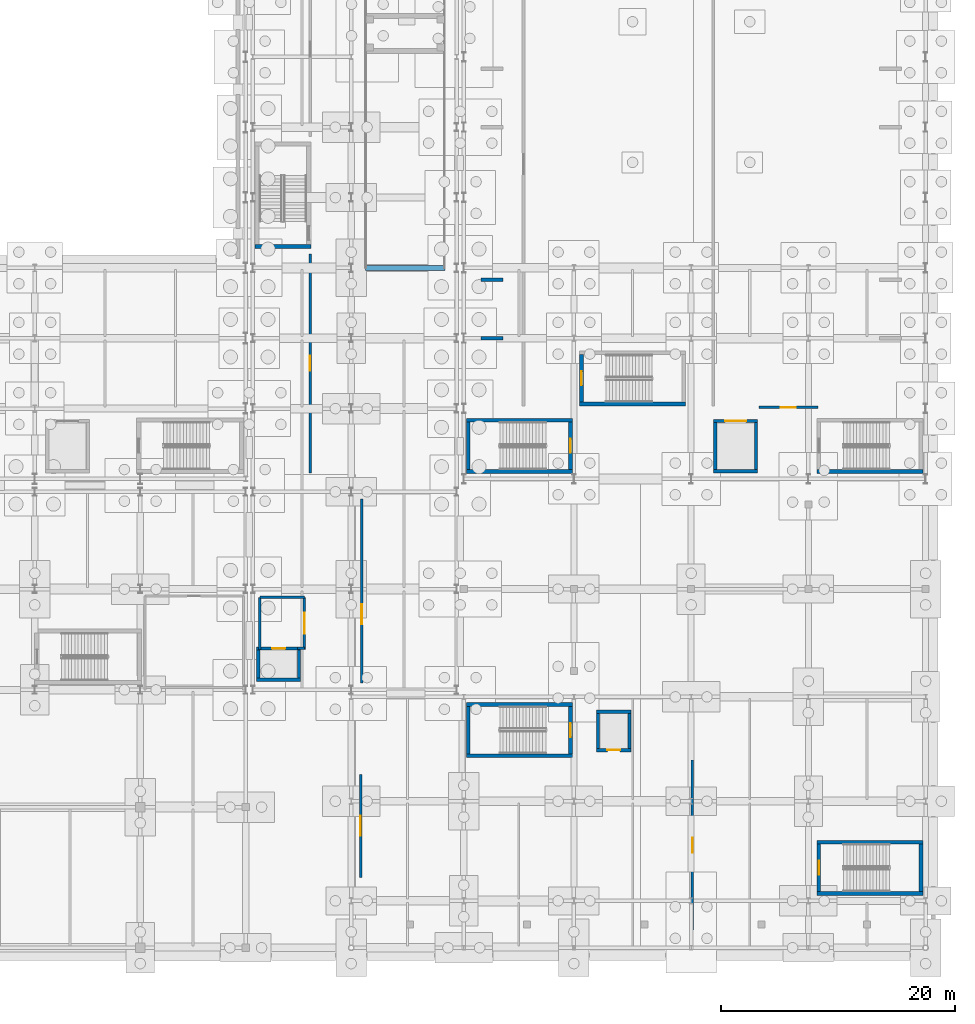
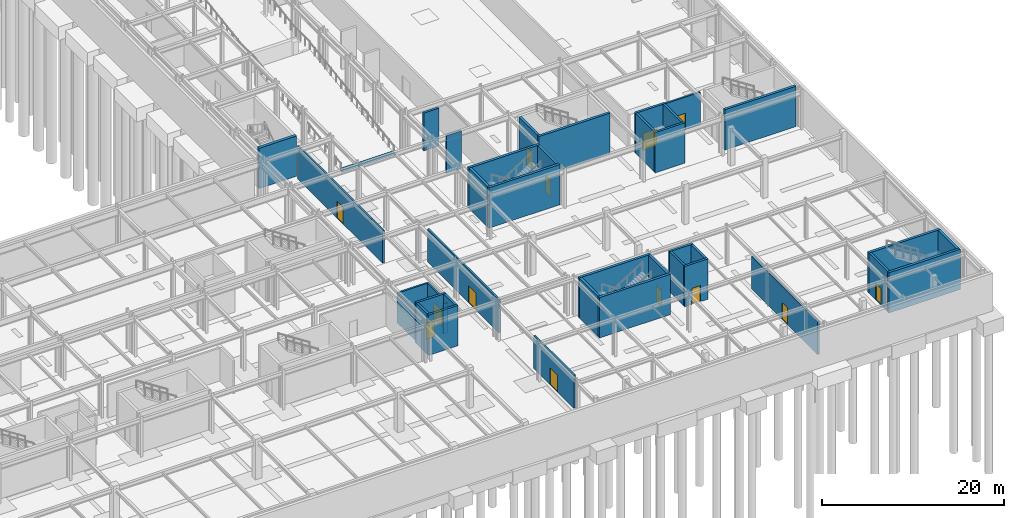
# One storey, part 46 of 65: 40 walls, 13 doors, 13 openings.
"""IFC4 building model written with IfcOpenShell, lengths in metres."""

from ifc_helpers import new_model, si_unit, direction, frame, frame_2d, origin, place, context, subcontext, project, spatial, rectangle, extrude, material, layer, layer_set, type_object, element, fill, save


model = new_model("IFC4")

# Units and contexts
model_context = context("Model", 3, precision=1e-05, world=origin(), true_north=direction((0.0, 1.0)))
body_context = subcontext(model_context, "Body", "Model", "MODEL_VIEW")
ifc_project = project(units=[si_unit("LENGTHUNIT", "METRE"), si_unit("AREAUNIT", "SQUARE_METRE"), si_unit("VOLUMEUNIT", "CUBIC_METRE"), si_unit("PLANEANGLEUNIT", "RADIAN"), si_unit("MASSUNIT", "GRAM", prefix="KILO")], contexts=[model_context])

# Site, building, storey
site_placement = place(None, origin())
site = spatial("IfcSite", under=ifc_project, at=site_placement, CompositionType="ELEMENT")
building_placement = place(site_placement, origin())
building = spatial("IfcBuilding", under=site, at=building_placement, Name="Kaldris Quays Convention Centre", CompositionType="ELEMENT")
storey_placement = place(building_placement, frame((0.0, 0.0, -5.39990234375)))
storey = spatial("IfcBuildingStorey", under=building, at=storey_placement, Name="B1", CompositionType="ELEMENT", Elevation=-5.39990234375)

# Wall, opening, door
ifc_material_1 = material(Name="Concrete C35/45", Category="concrete")
ifc_layer_1 = layer(ifc_material_1, 0.199951171875)
ifc_layer_set_1 = layer_set([ifc_layer_1], Name="Concrete C35/45")
wall_type_1 = type_object("IfcWallType", Name="INTERIOR WALL IW01", PredefinedType="PARTITIONING", material=ifc_layer_set_1)
wall_1_placement = place(storey_placement, frame((151.0, 41.449951171875, 0.0), z_axis=(0.0, 0.0, 1.0), x_axis=(0.0, 1.0, 0.0)))
wall_1 = element("IfcWall", 1, at=wall_1_placement, inside=storey, type_object=wall_type_1, Name="B1 Firefighting Lift Lobby FL02 Wall E", PredefinedType="PARTITIONING", context=body_context, shape_type="SweptSolid", body=[
    extrude(rectangle(XDim=4.449951171875, YDim=0.199951171875, at=frame_2d((2.22509765625, 0.0))), origin(), (0.0, 0.0, 1.0), 4.0),
])
opening_1_placement = place(wall_1_placement, frame((1.324951171875, 0.0, 0.0)))
opening_1 = element("IfcOpeningElement", 2, at=opening_1_placement, cuts=wall_1, Name="Opening ID02", PredefinedType="OPENING", context=body_context, shape_type="SweptSolid", body=[
    extrude(rectangle(XDim=1.800048828125, YDim=2.199951171875, at=frame_2d((0.89990234375, 1.10009765625))), frame((0.0, 0.10986328125, 0.0), z_axis=(0.0, -1.0, 0.0), x_axis=(1.0, 0.0, 0.0)), (0.0, 0.0, 1.0), 0.219970703125),
])
ifc_material_2 = material(Name="Steel S355J2 fire-resisting door", Category="steel")
door_type_1 = type_object("IfcDoorType", Name="INTERIOR DOOR ID02", OperationType="DOUBLE_DOOR_SINGLE_SWING", PredefinedType="DOOR", material=ifc_material_2)
door_1_placement = place(opening_1_placement, frame((1.800048828125, 0.0, 0.0), z_axis=(0.0, 0.0, 1.0), x_axis=(-1.0, 0.0, 0.0)))
door_1 = element("IfcDoor", 3, at=door_1_placement, inside=storey, type_object=door_type_1, Name="B1 Firefighting Lift Lobby FL02 Fire Door", OperationType="DOUBLE_DOOR_SINGLE_SWING", OverallHeight=2.199951171875, OverallWidth=1.800048828125, PredefinedType="DOOR", context=body_context, shape_type="SweptSolid", body=[
    extrude(rectangle(XDim=1.800048828125, YDim=2.199951171875, at=frame_2d((0.89990234375, 1.10009765625))), frame((0.0, 0.02490234375, 0.0), z_axis=(0.0, -1.0, 0.0), x_axis=(1.0, 0.0, 0.0)), (0.0, 0.0, 1.0), 0.050048828125),
])
fill(opening_1, door_1)

# Walls
wall_2_placement = place(storey_placement, frame((147.199951171875, 45.89990234375, 0.0), z_axis=(0.0, 0.0, 1.0), x_axis=(1.0, 0.0, 0.0)))
element("IfcWall", 4, at=wall_2_placement, inside=storey, type_object=wall_type_1, Name="B1 Firefighting Lift Lobby FL02 Wall N", PredefinedType="PARTITIONING", context=body_context, shape_type="SweptSolid", body=[
    extrude(rectangle(XDim=3.800048828125, YDim=0.199951171875, at=frame_2d((1.89990234375, 0.0))), origin(), (0.0, 0.0, 1.0), 4.0),
])
wall_3_placement = place(storey_placement, frame((147.199951171875, 41.449951171875, 0.0), z_axis=(0.0, 0.0, 1.0), x_axis=(0.0, 1.0, 0.0)))
element("IfcWall", 5, at=wall_3_placement, inside=storey, type_object=wall_type_1, Name="B1 Firefighting Lift Lobby FL02 Wall W", PredefinedType="PARTITIONING", context=body_context, shape_type="SweptSolid", body=[
    extrude(rectangle(XDim=4.449951171875, YDim=0.199951171875, at=frame_2d((2.22509765625, 0.0))), origin(), (0.0, 0.0, 1.0), 4.0),
])
wall_4_placement = place(storey_placement, frame((150.39990234375, 41.56005859375, 0.0), z_axis=(0.0, 0.0, 1.0), x_axis=(1.0, 0.0, 0.0)))
element("IfcWall", 6, at=wall_4_placement, inside=storey, type_object=wall_type_1, Name="B1 Firefighting Lift Lobby FL02 Wall S", PredefinedType="PARTITIONING", context=body_context, shape_type="SweptSolid", body=[
    extrude(rectangle(XDim=0.60009765625, YDim=0.199951171875, at=frame_2d((0.300048828125, 0.0))), origin(), (0.0, 0.0, 1.0), 4.0),
])

# Wall, opening, door
ifc_layer_2 = layer(ifc_material_1, 0.22412109375)
ifc_layer_set_2 = layer_set([ifc_layer_2], Name="Concrete C35/45")
wall_type_2 = type_object("IfcWallType", Name="INTERIOR WALL IW08", PredefinedType="PARTITIONING", material=ifc_layer_set_2)
wall_5_placement = place(storey_placement, frame((151.5, 56.5, 0.0), z_axis=(0.0, 0.0, 1.0), x_axis=(0.0, 1.0, 0.0)))
wall_5 = element("IfcWall", 7, at=wall_5_placement, inside=storey, type_object=wall_type_2, Name="B1 Interior Wall IW08 10", PredefinedType="PARTITIONING", context=body_context, shape_type="SweptSolid", body=[
    extrude(rectangle(XDim=18.699951171875, YDim=0.22412109375, at=frame_2d((9.35009765625, 0.0))), origin(), (0.0, 0.0, 1.0), 4.39990234375),
])
opening_2_placement = place(wall_5_placement, frame((8.7099609375, 0.0, 0.0)))
opening_2 = element("IfcOpeningElement", 8, at=opening_2_placement, cuts=wall_5, Name="Opening ID14", PredefinedType="OPENING", context=body_context, shape_type="SweptSolid", body=[
    extrude(rectangle(XDim=1.280029296875, YDim=2.239990234375, at=frame_2d((0.64013671875, 1.1201171875))), frame((0.0, 0.1220703125, 0.0), z_axis=(0.0, -1.0, 0.0), x_axis=(1.0, 0.0, 0.0)), (0.0, 0.0, 1.0), 0.244140625),
])
ifc_material_3 = material(Name="Steel S355J2 plant room fire door", Category="steel")
door_type_2 = type_object("IfcDoorType", Name="INTERIOR DOOR ID14", OperationType="NOTDEFINED", PredefinedType="DOOR", material=ifc_material_3)
door_2_placement = place(opening_2_placement, frame((1.280029296875, 0.0, 0.0), z_axis=(0.0, 0.0, 1.0), x_axis=(-1.0, 0.0, 0.0)))
door_2 = element("IfcDoor", 9, at=door_2_placement, inside=storey, type_object=door_type_2, Name="B1 Interior Door ID14 6", OperationType="SINGLE_SWING_LEFT", OverallHeight=2.239990234375, OverallWidth=1.280029296875, PredefinedType="DOOR", context=body_context, shape_type="SweptSolid", body=[
    extrude(rectangle(XDim=1.280029296875, YDim=2.239990234375, at=frame_2d((0.64013671875, 1.1201171875))), frame((0.0, 0.02490234375, 0.0), z_axis=(0.0, -1.0, 0.0), x_axis=(1.0, 0.0, 0.0)), (0.0, 0.0, 1.0), 0.050048828125),
])
fill(opening_2, door_2)

wall_6_placement = place(storey_placement, frame((155.89990234375, 38.60009765625, 0.0), z_axis=(0.0, 0.0, 1.0), x_axis=(0.0, 1.0, 0.0)))
wall_6 = element("IfcWall", 10, at=wall_6_placement, inside=storey, type_object=wall_type_2, Name="B1 Interior Wall IW08 16", PredefinedType="PARTITIONING", context=body_context, shape_type="SweptSolid", body=[
    extrude(rectangle(XDim=15.699951171875, YDim=0.22412109375, at=frame_2d((7.85009765625, 0.0))), origin(), (0.0, 0.0, 1.0), 4.39990234375),
])
opening_3_placement = place(wall_6_placement, frame((4.989990234375, 0.0, 0.0)))
opening_3 = element("IfcOpeningElement", 11, at=opening_3_placement, cuts=wall_6, Name="Opening ID15", PredefinedType="OPENING", context=body_context, shape_type="SweptSolid", body=[
    extrude(rectangle(XDim=1.719970703125, YDim=2.280029296875, at=frame_2d((0.85986328125, 1.14013671875))), frame((0.0, 0.1220703125, 0.0), z_axis=(0.0, -1.0, 0.0), x_axis=(1.0, 0.0, 0.0)), (0.0, 0.0, 1.0), 0.244140625),
])
ifc_material_4 = material(Name="Steel S355J2 plant room double fire door", Category="steel")
door_type_3 = type_object("IfcDoorType", Name="INTERIOR DOOR ID15", OperationType="DOUBLE_DOOR_SINGLE_SWING", PredefinedType="DOOR", material=ifc_material_4)
door_3_placement = place(opening_3_placement, origin())
door_3 = element("IfcDoor", 12, at=door_3_placement, inside=storey, type_object=door_type_3, Name="B1 Interior Door ID15 11", OperationType="DOUBLE_DOOR_SINGLE_SWING", OverallHeight=2.280029296875, OverallWidth=1.719970703125, PredefinedType="DOOR", context=body_context, shape_type="SweptSolid", body=[
    extrude(rectangle(XDim=1.719970703125, YDim=2.280029296875, at=frame_2d((0.85986328125, 1.14013671875))), frame((0.0, 0.02490234375, 0.0), z_axis=(0.0, -1.0, 0.0), x_axis=(1.0, 0.0, 0.0)), (0.0, 0.0, 1.0), 0.050048828125),
])
fill(opening_3, door_3)

wall_7_placement = place(storey_placement, frame((189.800048828125, 62.10009765625, 0.0), z_axis=(0.0, 0.0, 1.0), x_axis=(1.0, 0.0, 0.0)))
wall_7 = element("IfcWall", 13, at=wall_7_placement, inside=storey, type_object=wall_type_2, Name="B1 Interior Wall IW08 20", PredefinedType="PARTITIONING", context=body_context, shape_type="SweptSolid", body=[
    extrude(rectangle(XDim=5.0, YDim=0.22412109375, at=frame_2d((2.5, 0.0))), origin(), (0.0, 0.0, 1.0), 4.39990234375),
])
opening_4_placement = place(wall_7_placement, frame((1.860107421875, 0.0, 0.0)))
opening_4 = element("IfcOpeningElement", 14, at=opening_4_placement, cuts=wall_7, Name="Opening ID14", PredefinedType="OPENING", context=body_context, shape_type="SweptSolid", body=[
    extrude(rectangle(XDim=1.280029296875, YDim=2.239990234375, at=frame_2d((0.64013671875, 1.1201171875))), frame((0.0, 0.1220703125, 0.0), z_axis=(0.0, -1.0, 0.0), x_axis=(1.0, 0.0, 0.0)), (0.0, 0.0, 1.0), 0.244140625),
])
door_4_placement = place(opening_4_placement, frame((1.280029296875, 0.0, 0.0), z_axis=(0.0, 0.0, 1.0), x_axis=(-1.0, 0.0, 0.0)))
door_4 = element("IfcDoor", 15, at=door_4_placement, inside=storey, type_object=door_type_2, Name="B1 Interior Door ID14 14", OperationType="SINGLE_SWING_RIGHT", OverallHeight=2.239990234375, OverallWidth=1.280029296875, PredefinedType="DOOR", context=body_context, shape_type="SweptSolid", body=[
    extrude(rectangle(XDim=1.280029296875, YDim=2.239990234375, at=frame_2d((0.64013671875, 1.1201171875))), frame((0.0, 0.02490234375, 0.0), z_axis=(0.0, -1.0, 0.0), x_axis=(1.0, 0.0, 0.0)), (0.0, 0.0, 1.0), 0.050048828125),
])
fill(opening_4, door_4)

wall_8_placement = place(storey_placement, frame((155.800048828125, 22.0, 0.0), z_axis=(0.0, 0.0, 1.0), x_axis=(0.0, 1.0, 0.0)))
wall_8 = element("IfcWall", 16, at=wall_8_placement, inside=storey, type_object=wall_type_2, Name="B1 Interior Wall IW08 21", PredefinedType="PARTITIONING", context=body_context, shape_type="SweptSolid", body=[
    extrude(rectangle(XDim=8.800048828125, YDim=0.22412109375, at=frame_2d((4.39990234375, 0.0))), origin(), (0.0, 0.0, 1.0), 4.39990234375),
])
opening_5_placement = place(wall_8_placement, frame((3.5400390625, 0.0, 0.0)))
opening_5 = element("IfcOpeningElement", 17, at=opening_5_placement, cuts=wall_8, Name="Opening ID15", PredefinedType="OPENING", context=body_context, shape_type="SweptSolid", body=[
    extrude(rectangle(XDim=1.719970703125, YDim=2.280029296875, at=frame_2d((0.85986328125, 1.14013671875))), frame((0.0, 0.1220703125, 0.0), z_axis=(0.0, -1.0, 0.0), x_axis=(1.0, 0.0, 0.0)), (0.0, 0.0, 1.0), 0.244140625),
])
door_5_placement = place(opening_5_placement, origin())
door_5 = element("IfcDoor", 18, at=door_5_placement, inside=storey, type_object=door_type_3, Name="B1 Interior Door ID15 15", OperationType="DOUBLE_DOOR_SINGLE_SWING", OverallHeight=2.280029296875, OverallWidth=1.719970703125, PredefinedType="DOOR", context=body_context, shape_type="SweptSolid", body=[
    extrude(rectangle(XDim=1.719970703125, YDim=2.280029296875, at=frame_2d((0.85986328125, 1.14013671875))), frame((0.0, 0.02490234375, 0.0), z_axis=(0.0, -1.0, 0.0), x_axis=(1.0, 0.0, 0.0)), (0.0, 0.0, 1.0), 0.050048828125),
])
fill(opening_5, door_5)

wall_9_placement = place(storey_placement, frame((184.10009765625, 17.5, 0.0), z_axis=(0.0, 0.0, 1.0), x_axis=(0.0, 1.0, 0.0)))
wall_9 = element("IfcWall", 19, at=wall_9_placement, inside=storey, type_object=wall_type_2, Name="B1 Interior Wall IW08 22", PredefinedType="PARTITIONING", context=body_context, shape_type="SweptSolid", body=[
    extrude(rectangle(XDim=14.5, YDim=0.22412109375, at=frame_2d((7.25, 0.0))), origin(), (0.0, 0.0, 1.0), 4.39990234375),
])
opening_6_placement = place(wall_9_placement, frame((6.610107421875, 0.0, 0.0)))
opening_6 = element("IfcOpeningElement", 20, at=opening_6_placement, cuts=wall_9, Name="Opening ID14", PredefinedType="OPENING", context=body_context, shape_type="SweptSolid", body=[
    extrude(rectangle(XDim=1.280029296875, YDim=2.239990234375, at=frame_2d((0.64013671875, 1.1201171875))), frame((0.0, 0.1220703125, 0.0), z_axis=(0.0, -1.0, 0.0), x_axis=(1.0, 0.0, 0.0)), (0.0, 0.0, 1.0), 0.244140625),
])
door_6_placement = place(opening_6_placement, origin())
door_6 = element("IfcDoor", 21, at=door_6_placement, inside=storey, type_object=door_type_2, Name="B1 Interior Door ID14 16", OperationType="SINGLE_SWING_LEFT", OverallHeight=2.239990234375, OverallWidth=1.280029296875, PredefinedType="DOOR", context=body_context, shape_type="SweptSolid", body=[
    extrude(rectangle(XDim=1.280029296875, YDim=2.239990234375, at=frame_2d((0.64013671875, 1.1201171875))), frame((0.0, 0.02490234375, 0.0), z_axis=(0.0, -1.0, 0.0), x_axis=(1.0, 0.0, 0.0)), (0.0, 0.0, 1.0), 0.050048828125),
])
fill(opening_6, door_6)

# Walls
ifc_material_5 = material(Name="Concrete C40/50", Category="concrete")
ifc_layer_3 = layer(ifc_material_5, 0.35009765625)
ifc_layer_set_3 = layer_set([ifc_layer_3], Name="Concrete C40/50")
wall_type_3 = type_object("IfcWallType", Name="STRUCTURAL WALL SW01", PredefinedType="SHEAR", material=ifc_layer_set_3)
wall_10_placement = place(storey_placement, frame((146.800048828125, 75.824951171875, 0.0), z_axis=(0.0, 0.0, 1.0), x_axis=(1.0, 0.0, 0.0)))
element("IfcWall", 22, at=wall_10_placement, inside=storey, type_object=wall_type_3, Name="B1 Core Shear Wall CORE-ST14-B1-S", PredefinedType="SHEAR", context=body_context, shape_type="SweptSolid", body=[
    extrude(rectangle(XDim=4.75, YDim=0.35009765625, at=frame_2d((2.375, 0.0))), origin(), (0.0, 0.0, 1.0), 5.39990234375),
])
ifc_layer_4 = layer(ifc_material_5, 0.320068359375)
ifc_layer_set_4 = layer_set([ifc_layer_4], Name="Concrete C40/50")
wall_type_4 = type_object("IfcWallType", Name="STRUCTURAL WALL SW02", PredefinedType="SHEAR", material=ifc_layer_set_4)
for number, where, z_axis, x_axis, name in (
    (23, (164.830078125, 56.639892578125, 0.0), (0.0, 0.0, 1.0), (1.0, 0.0, 0.0), "B1 Core Shear Wall CORE-ST08-B1-S"),
    (24, (164.830078125, 61.010009765625, 0.0), (0.0, 0.0, 1.0), (1.0, 0.0, 0.0), "B1 Core Shear Wall CORE-ST08-B1-N"),
):
    element("IfcWall", number, at=place(storey_placement, frame(where, z_axis=z_axis, x_axis=x_axis)), inside=storey, type_object=wall_type_4, Name=name, PredefinedType="SHEAR", context=body_context, shape_type="SweptSolid", body=[
        extrude(rectangle(XDim=9.0400390625, YDim=0.320068359375, at=frame_2d((4.52001953125, 0.0))), origin(), (0.0, 0.0, 1.0), 5.39990234375),
    ])
wall_11_placement = place(storey_placement, frame((164.989990234375, 56.800048828125, 0.0), z_axis=(0.0, 0.0, 1.0), x_axis=(0.0, 1.0, 0.0)))
element("IfcWall", 25, at=wall_11_placement, inside=storey, type_object=wall_type_4, Name="B1 Core Shear Wall CORE-ST08-B1-W", PredefinedType="SHEAR", context=body_context, shape_type="SweptSolid", body=[
    extrude(rectangle(XDim=4.050048828125, YDim=0.320068359375, at=frame_2d((2.02490234375, 0.0))), origin(), (0.0, 0.0, 1.0), 5.39990234375),
])

# Wall, opening, door
wall_12_placement = place(storey_placement, frame((173.7099609375, 56.800048828125, 0.0), z_axis=(0.0, 0.0, 1.0), x_axis=(0.0, 1.0, 0.0)))
wall_12 = element("IfcWall", 26, at=wall_12_placement, inside=storey, type_object=wall_type_4, Name="B1 Core Shear Wall CORE-ST08-B1-E", PredefinedType="SHEAR", context=body_context, shape_type="SweptSolid", body=[
    extrude(rectangle(XDim=4.050048828125, YDim=0.320068359375, at=frame_2d((2.02490234375, 0.0))), origin(), (0.0, 0.0, 1.0), 5.39990234375),
])
opening_7_placement = place(wall_12_placement, frame((1.425048828125, 0.0, 0.0)))
opening_7 = element("IfcOpeningElement", 27, at=opening_7_placement, cuts=wall_12, Name="Opening ID03", PredefinedType="OPENING", context=body_context, shape_type="SweptSolid", body=[
    extrude(rectangle(XDim=1.199951171875, YDim=2.199951171875, at=frame_2d((0.60009765625, 1.10009765625))), frame((0.0, 0.169921875, 0.0), z_axis=(0.0, -1.0, 0.0), x_axis=(1.0, 0.0, 0.0)), (0.0, 0.0, 1.0), 0.340087890625),
])
door_type_4 = type_object("IfcDoorType", Name="INTERIOR DOOR ID03", OperationType="NOTDEFINED", PredefinedType="DOOR", material=ifc_material_2)
door_7_placement = place(opening_7_placement, origin())
door_7 = element("IfcDoor", 28, at=door_7_placement, inside=storey, type_object=door_type_4, Name="B1 Escape Stair ST08 Fire Door", OperationType="SINGLE_SWING_LEFT", OverallHeight=2.199951171875, OverallWidth=1.199951171875, PredefinedType="DOOR", context=body_context, shape_type="SweptSolid", body=[
    extrude(rectangle(XDim=1.199951171875, YDim=2.199951171875, at=frame_2d((0.60009765625, 1.10009765625))), frame((0.0, 0.02490234375, 0.0), z_axis=(0.0, -1.0, 0.0), x_axis=(1.0, 0.0, 0.0)), (0.0, 0.0, 1.0), 0.050048828125),
])
fill(opening_7, door_7)

# Walls
for number, where, z_axis, x_axis, name in (
    (29, (194.72998046875, 56.639892578125, 0.0), (0.0, 0.0, 1.0), (1.0, 0.0, 0.0), "B1 Core Shear Wall CORE-ST09-B1-S"),
    (30, (174.47998046875, 62.389892578125, 0.0), (0.0, 0.0, 1.0), (1.0, 0.0, 0.0), "B1 Core Shear Wall CORE-ST10-B1-S"),
):
    element("IfcWall", number, at=place(storey_placement, frame(where, z_axis=z_axis, x_axis=x_axis)), inside=storey, type_object=wall_type_4, Name=name, PredefinedType="SHEAR", context=body_context, shape_type="SweptSolid", body=[
        extrude(rectangle(XDim=9.0400390625, YDim=0.320068359375, at=frame_2d((4.52001953125, 0.0))), origin(), (0.0, 0.0, 1.0), 5.39990234375),
    ])

# Wall, opening, door
wall_13_placement = place(storey_placement, frame((174.639892578125, 62.550048828125, 0.0), z_axis=(0.0, 0.0, 1.0), x_axis=(0.0, 1.0, 0.0)))
wall_13 = element("IfcWall", 31, at=wall_13_placement, inside=storey, type_object=wall_type_4, Name="B1 Core Shear Wall CORE-ST10-B1-W", PredefinedType="SHEAR", context=body_context, shape_type="SweptSolid", body=[
    extrude(rectangle(XDim=4.050048828125, YDim=0.320068359375, at=frame_2d((2.02490234375, 0.0))), origin(), (0.0, 0.0, 1.0), 5.39990234375),
])
opening_8_placement = place(wall_13_placement, frame((1.425048828125, 0.0, 0.0)))
opening_8 = element("IfcOpeningElement", 32, at=opening_8_placement, cuts=wall_13, Name="Opening ID03", PredefinedType="OPENING", context=body_context, shape_type="SweptSolid", body=[
    extrude(rectangle(XDim=1.199951171875, YDim=2.199951171875, at=frame_2d((0.60009765625, 1.10009765625))), frame((0.0, 0.169921875, 0.0), z_axis=(0.0, -1.0, 0.0), x_axis=(1.0, 0.0, 0.0)), (0.0, 0.0, 1.0), 0.340087890625),
])
door_8_placement = place(opening_8_placement, frame((1.199951171875, 0.0, 0.0), z_axis=(0.0, 0.0, 1.0), x_axis=(-1.0, 0.0, 0.0)))
door_8 = element("IfcDoor", 33, at=door_8_placement, inside=storey, type_object=door_type_4, Name="B1 Escape Stair ST10 Fire Door", OperationType="SINGLE_SWING_LEFT", OverallHeight=2.199951171875, OverallWidth=1.199951171875, PredefinedType="DOOR", context=body_context, shape_type="SweptSolid", body=[
    extrude(rectangle(XDim=1.199951171875, YDim=2.199951171875, at=frame_2d((0.60009765625, 1.10009765625))), frame((0.0, 0.02490234375, 0.0), z_axis=(0.0, -1.0, 0.0), x_axis=(1.0, 0.0, 0.0)), (0.0, 0.0, 1.0), 0.050048828125),
])
fill(opening_8, door_8)

# Walls
for number, where, z_axis, x_axis, name in (
    (34, (164.830078125, 32.389892578125, 0.0), (0.0, 0.0, 1.0), (1.0, 0.0, 0.0), "B1 Core Shear Wall CORE-ST15-B1-S"),
    (35, (164.830078125, 36.760009765625, 0.0), (0.0, 0.0, 1.0), (1.0, 0.0, 0.0), "B1 Core Shear Wall CORE-ST15-B1-N"),
):
    element("IfcWall", number, at=place(storey_placement, frame(where, z_axis=z_axis, x_axis=x_axis)), inside=storey, type_object=wall_type_4, Name=name, PredefinedType="SHEAR", context=body_context, shape_type="SweptSolid", body=[
        extrude(rectangle(XDim=9.0400390625, YDim=0.320068359375, at=frame_2d((4.52001953125, 0.0))), origin(), (0.0, 0.0, 1.0), 5.39990234375),
    ])
wall_14_placement = place(storey_placement, frame((164.989990234375, 32.550048828125, 0.0), z_axis=(0.0, 0.0, 1.0), x_axis=(0.0, 1.0, 0.0)))
element("IfcWall", 36, at=wall_14_placement, inside=storey, type_object=wall_type_4, Name="B1 Core Shear Wall CORE-ST15-B1-W", PredefinedType="SHEAR", context=body_context, shape_type="SweptSolid", body=[
    extrude(rectangle(XDim=4.050048828125, YDim=0.320068359375, at=frame_2d((2.02490234375, 0.0))), origin(), (0.0, 0.0, 1.0), 5.39990234375),
])

# Wall, opening, door
wall_15_placement = place(storey_placement, frame((173.7099609375, 32.550048828125, 0.0), z_axis=(0.0, 0.0, 1.0), x_axis=(0.0, 1.0, 0.0)))
wall_15 = element("IfcWall", 37, at=wall_15_placement, inside=storey, type_object=wall_type_4, Name="B1 Core Shear Wall CORE-ST15-B1-E", PredefinedType="SHEAR", context=body_context, shape_type="SweptSolid", body=[
    extrude(rectangle(XDim=4.050048828125, YDim=0.320068359375, at=frame_2d((2.02490234375, 0.0))), origin(), (0.0, 0.0, 1.0), 5.39990234375),
])
opening_9_placement = place(wall_15_placement, frame((1.425048828125, 0.0, 0.0)))
opening_9 = element("IfcOpeningElement", 38, at=opening_9_placement, cuts=wall_15, Name="Opening ID03", PredefinedType="OPENING", context=body_context, shape_type="SweptSolid", body=[
    extrude(rectangle(XDim=1.199951171875, YDim=2.199951171875, at=frame_2d((0.60009765625, 1.10009765625))), frame((0.0, 0.169921875, 0.0), z_axis=(0.0, -1.0, 0.0), x_axis=(1.0, 0.0, 0.0)), (0.0, 0.0, 1.0), 0.340087890625),
])
door_9_placement = place(opening_9_placement, origin())
door_9 = element("IfcDoor", 39, at=door_9_placement, inside=storey, type_object=door_type_4, Name="B1 Escape Stair ST15 Fire Door", OperationType="SINGLE_SWING_LEFT", OverallHeight=2.199951171875, OverallWidth=1.199951171875, PredefinedType="DOOR", context=body_context, shape_type="SweptSolid", body=[
    extrude(rectangle(XDim=1.199951171875, YDim=2.199951171875, at=frame_2d((0.60009765625, 1.10009765625))), frame((0.0, 0.02490234375, 0.0), z_axis=(0.0, -1.0, 0.0), x_axis=(1.0, 0.0, 0.0)), (0.0, 0.0, 1.0), 0.050048828125),
])
fill(opening_9, door_9)

# Walls
for number, where, z_axis, x_axis, name in (
    (40, (194.72998046875, 20.639892578125, 0.0), (0.0, 0.0, 1.0), (1.0, 0.0, 0.0), "B1 Core Shear Wall CORE-ST16-B1-S"),
    (41, (194.72998046875, 25.010009765625, 0.0), (0.0, 0.0, 1.0), (1.0, 0.0, 0.0), "B1 Core Shear Wall CORE-ST16-B1-N"),
):
    element("IfcWall", number, at=place(storey_placement, frame(where, z_axis=z_axis, x_axis=x_axis)), inside=storey, type_object=wall_type_4, Name=name, PredefinedType="SHEAR", context=body_context, shape_type="SweptSolid", body=[
        extrude(rectangle(XDim=9.0400390625, YDim=0.320068359375, at=frame_2d((4.52001953125, 0.0))), origin(), (0.0, 0.0, 1.0), 5.39990234375),
    ])

# Wall, opening, door
wall_16_placement = place(storey_placement, frame((194.889892578125, 20.800048828125, 0.0), z_axis=(0.0, 0.0, 1.0), x_axis=(0.0, 1.0, 0.0)))
wall_16 = element("IfcWall", 42, at=wall_16_placement, inside=storey, type_object=wall_type_4, Name="B1 Core Shear Wall CORE-ST16-B1-W", PredefinedType="SHEAR", context=body_context, shape_type="SweptSolid", body=[
    extrude(rectangle(XDim=4.050048828125, YDim=0.320068359375, at=frame_2d((2.02490234375, 0.0))), origin(), (0.0, 0.0, 1.0), 5.39990234375),
])
opening_10_placement = place(wall_16_placement, frame((1.425048828125, 0.0, 0.0)))
opening_10 = element("IfcOpeningElement", 43, at=opening_10_placement, cuts=wall_16, Name="Opening ID03", PredefinedType="OPENING", context=body_context, shape_type="SweptSolid", body=[
    extrude(rectangle(XDim=1.199951171875, YDim=2.199951171875, at=frame_2d((0.60009765625, 1.10009765625))), frame((0.0, 0.169921875, 0.0), z_axis=(0.0, -1.0, 0.0), x_axis=(1.0, 0.0, 0.0)), (0.0, 0.0, 1.0), 0.340087890625),
])
door_10_placement = place(opening_10_placement, frame((1.199951171875, 0.0, 0.0), z_axis=(0.0, 0.0, 1.0), x_axis=(-1.0, 0.0, 0.0)))
door_10 = element("IfcDoor", 44, at=door_10_placement, inside=storey, type_object=door_type_4, Name="B1 Escape Stair ST16 Fire Door", OperationType="SINGLE_SWING_RIGHT", OverallHeight=2.199951171875, OverallWidth=1.199951171875, PredefinedType="DOOR", context=body_context, shape_type="SweptSolid", body=[
    extrude(rectangle(XDim=1.199951171875, YDim=2.199951171875, at=frame_2d((0.60009765625, 1.10009765625))), frame((0.0, 0.02490234375, 0.0), z_axis=(0.0, -1.0, 0.0), x_axis=(1.0, 0.0, 0.0)), (0.0, 0.0, 1.0), 0.050048828125),
])
fill(opening_10, door_10)

# Walls
wall_17_placement = place(storey_placement, frame((203.610107421875, 20.800048828125, 0.0), z_axis=(0.0, 0.0, 1.0), x_axis=(0.0, 1.0, 0.0)))
element("IfcWall", 45, at=wall_17_placement, inside=storey, type_object=wall_type_4, Name="B1 Core Shear Wall CORE-ST16-B1-E", PredefinedType="SHEAR", context=body_context, shape_type="SweptSolid", body=[
    extrude(rectangle(XDim=4.050048828125, YDim=0.320068359375, at=frame_2d((2.02490234375, 0.0))), origin(), (0.0, 0.0, 1.0), 5.39990234375),
])
ifc_layer_5 = layer(ifc_material_5, 0.280029296875)
ifc_layer_set_5 = layer_set([ifc_layer_5], Name="Concrete C40/50")
wall_type_5 = type_object("IfcWallType", Name="STRUCTURAL WALL SW03", PredefinedType="SHEAR", material=ifc_layer_set_5)
wall_18_placement = place(storey_placement, frame((146.919921875, 38.860107421875, 0.0), z_axis=(0.0, 0.0, 1.0), x_axis=(1.0, 0.0, 0.0)))
element("IfcWall", 46, at=wall_18_placement, inside=storey, type_object=wall_type_5, Name="B1 Core Shear Wall LSHAFT-FL02-B1-S", PredefinedType="SHEAR", context=body_context, shape_type="SweptSolid", body=[
    extrude(rectangle(XDim=3.760009765625, YDim=0.280029296875, at=frame_2d((1.8798828125, 0.0))), origin(), (0.0, 0.0, 1.0), 5.39990234375),
])

# Wall, opening, door
wall_19_placement = place(storey_placement, frame((146.919921875, 41.5400390625, 0.0), z_axis=(0.0, 0.0, 1.0), x_axis=(1.0, 0.0, 0.0)))
wall_19 = element("IfcWall", 47, at=wall_19_placement, inside=storey, type_object=wall_type_5, Name="B1 Core Shear Wall LSHAFT-FL02-B1-N", PredefinedType="SHEAR", context=body_context, shape_type="SweptSolid", body=[
    extrude(rectangle(XDim=3.760009765625, YDim=0.280029296875, at=frame_2d((1.8798828125, 0.0))), origin(), (0.0, 0.0, 1.0), 5.39990234375),
])
opening_11_placement = place(wall_19_placement, frame((1.330078125, 0.0, 0.0)))
opening_11 = element("IfcOpeningElement", 48, at=opening_11_placement, cuts=wall_19, Name="Opening LD01", PredefinedType="OPENING", context=body_context, shape_type="SweptSolid", body=[
    extrude(rectangle(XDim=1.10009765625, YDim=2.14990234375, at=frame_2d((0.550048828125, 1.074951171875))), frame((0.0, 0.14990234375, 0.0), z_axis=(0.0, -1.0, 0.0), x_axis=(1.0, 0.0, 0.0)), (0.0, 0.0, 1.0), 0.300048828125),
])
ifc_material_6 = material(Name="Stainless steel 1.4301 lift landing door", Category="steel")
door_type_5 = type_object("IfcDoorType", Name="INTERIOR DOOR LD01", OperationType="DOUBLE_DOOR_SLIDING", PredefinedType="DOOR", material=ifc_material_6)
door_11_placement = place(opening_11_placement, origin())
door_11 = element("IfcDoor", 49, at=door_11_placement, inside=storey, type_object=door_type_5, Name="B1 FL02 Sliding Lift Landing Door", OperationType="DOUBLE_DOOR_SLIDING", OverallHeight=2.14990234375, OverallWidth=1.10009765625, PredefinedType="DOOR", context=body_context, shape_type="SweptSolid", body=[
    extrude(rectangle(XDim=1.10009765625, YDim=2.14990234375, at=frame_2d((0.550048828125, 1.074951171875))), frame((0.0, 0.02490234375, 0.0), z_axis=(0.0, -1.0, 0.0), x_axis=(1.0, 0.0, 0.0)), (0.0, 0.0, 1.0), 0.050048828125),
])
fill(opening_11, door_11)

# Walls
for number, where, z_axis, x_axis, name in (
    (50, (147.06005859375, 39.0, 0.0), (0.0, 0.0, 1.0), (0.0, 1.0, 0.0), "B1 Core Shear Wall LSHAFT-FL02-B1-W"),
    (51, (150.5400390625, 39.0, 0.0), (0.0, 0.0, 1.0), (0.0, 1.0, 0.0), "B1 Core Shear Wall LSHAFT-FL02-B1-E"),
):
    element("IfcWall", number, at=place(storey_placement, frame(where, z_axis=z_axis, x_axis=x_axis)), inside=storey, type_object=wall_type_5, Name=name, PredefinedType="SHEAR", context=body_context, shape_type="SweptSolid", body=[
        extrude(rectangle(XDim=2.39990234375, YDim=0.280029296875, at=frame_2d((1.199951171875, 0.0))), origin(), (0.0, 0.0, 1.0), 5.39990234375),
    ])

# Wall, opening, door
wall_20_placement = place(storey_placement, frame((175.919921875, 32.860107421875, 0.0), z_axis=(0.0, 0.0, 1.0), x_axis=(1.0, 0.0, 0.0)))
wall_20 = element("IfcWall", 52, at=wall_20_placement, inside=storey, type_object=wall_type_5, Name="B1 Core Shear Wall LSHAFT-PL02-B1-S", PredefinedType="SHEAR", context=body_context, shape_type="SweptSolid", body=[
    extrude(rectangle(XDim=2.9599609375, YDim=0.280029296875, at=frame_2d((1.47998046875, 0.0))), origin(), (0.0, 0.0, 1.0), 5.39990234375),
])
opening_12_placement = place(wall_20_placement, frame((0.929931640625, 0.0, 0.0)))
opening_12 = element("IfcOpeningElement", 53, at=opening_12_placement, cuts=wall_20, Name="Opening LD01", PredefinedType="OPENING", context=body_context, shape_type="SweptSolid", body=[
    extrude(rectangle(XDim=1.10009765625, YDim=2.14990234375, at=frame_2d((0.550048828125, 1.074951171875))), frame((0.0, 0.14990234375, 0.0), z_axis=(0.0, -1.0, 0.0), x_axis=(1.0, 0.0, 0.0)), (0.0, 0.0, 1.0), 0.300048828125),
])
door_12_placement = place(opening_12_placement, origin())
door_12 = element("IfcDoor", 54, at=door_12_placement, inside=storey, type_object=door_type_5, Name="B1 PL02 Sliding Lift Landing Door", OperationType="DOUBLE_DOOR_SLIDING", OverallHeight=2.14990234375, OverallWidth=1.10009765625, PredefinedType="DOOR", context=body_context, shape_type="SweptSolid", body=[
    extrude(rectangle(XDim=1.10009765625, YDim=2.14990234375, at=frame_2d((0.550048828125, 1.074951171875))), frame((0.0, 0.02490234375, 0.0), z_axis=(0.0, -1.0, 0.0), x_axis=(1.0, 0.0, 0.0)), (0.0, 0.0, 1.0), 0.050048828125),
])
fill(opening_12, door_12)

# Walls
wall_21_placement = place(storey_placement, frame((175.919921875, 36.139892578125, 0.0), z_axis=(0.0, 0.0, 1.0), x_axis=(1.0, 0.0, 0.0)))
element("IfcWall", 55, at=wall_21_placement, inside=storey, type_object=wall_type_5, Name="B1 Core Shear Wall LSHAFT-PL02-B1-N", PredefinedType="SHEAR", context=body_context, shape_type="SweptSolid", body=[
    extrude(rectangle(XDim=2.9599609375, YDim=0.280029296875, at=frame_2d((1.47998046875, 0.0))), origin(), (0.0, 0.0, 1.0), 5.39990234375),
])
for number, where, z_axis, x_axis, name in (
    (56, (176.06005859375, 33.0, 0.0), (0.0, 0.0, 1.0), (0.0, 1.0, 0.0), "B1 Core Shear Wall LSHAFT-PL02-B1-W"),
    (57, (178.739990234375, 33.0, 0.0), (0.0, 0.0, 1.0), (0.0, 1.0, 0.0), "B1 Core Shear Wall LSHAFT-PL02-B1-E"),
):
    element("IfcWall", number, at=place(storey_placement, frame(where, z_axis=z_axis, x_axis=x_axis)), inside=storey, type_object=wall_type_5, Name=name, PredefinedType="SHEAR", context=body_context, shape_type="SweptSolid", body=[
        extrude(rectangle(XDim=3.0, YDim=0.280029296875, at=frame_2d((1.5, 0.0))), origin(), (0.0, 0.0, 1.0), 5.39990234375),
    ])
wall_22_placement = place(storey_placement, frame((185.919921875, 56.659912109375, 0.0), z_axis=(0.0, 0.0, 1.0), x_axis=(1.0, 0.0, 0.0)))
element("IfcWall", 58, at=wall_22_placement, inside=storey, type_object=wall_type_5, Name="B1 Core Shear Wall LSHAFT-GL02-B1-S", PredefinedType="SHEAR", context=body_context, shape_type="SweptSolid", body=[
    extrude(rectangle(XDim=3.760009765625, YDim=0.280029296875, at=frame_2d((1.8798828125, 0.0))), origin(), (0.0, 0.0, 1.0), 5.39990234375),
])

# Wall, opening, door
wall_23_placement = place(storey_placement, frame((185.919921875, 60.93994140625, 0.0), z_axis=(0.0, 0.0, 1.0), x_axis=(1.0, 0.0, 0.0)))
wall_23 = element("IfcWall", 59, at=wall_23_placement, inside=storey, type_object=wall_type_5, Name="B1 Core Shear Wall LSHAFT-GL02-B1-N", PredefinedType="SHEAR", context=body_context, shape_type="SweptSolid", body=[
    extrude(rectangle(XDim=3.760009765625, YDim=0.280029296875, at=frame_2d((1.8798828125, 0.0))), origin(), (0.0, 0.0, 1.0), 5.39990234375),
])
opening_13_placement = place(wall_23_placement, frame((0.97998046875, 0.0, 0.0)))
opening_13 = element("IfcOpeningElement", 60, at=opening_13_placement, cuts=wall_23, Name="Opening LD02", PredefinedType="OPENING", context=body_context, shape_type="SweptSolid", body=[
    extrude(rectangle(XDim=1.800048828125, YDim=2.300048828125, at=frame_2d((0.89990234375, 1.14990234375))), frame((0.0, 0.14990234375, 0.0), z_axis=(0.0, -1.0, 0.0), x_axis=(1.0, 0.0, 0.0)), (0.0, 0.0, 1.0), 0.300048828125),
])
ifc_material_7 = material(Name="Stainless steel 1.4301 freight lift landing door", Category="steel")
door_type_6 = type_object("IfcDoorType", Name="INTERIOR DOOR LD02", OperationType="DOUBLE_DOOR_SLIDING", PredefinedType="DOOR", material=ifc_material_7)
door_13_placement = place(opening_13_placement, origin())
door_13 = element("IfcDoor", 61, at=door_13_placement, inside=storey, type_object=door_type_6, Name="B1 GL02 Sliding Lift Landing Door", OperationType="DOUBLE_DOOR_SLIDING", OverallHeight=2.300048828125, OverallWidth=1.800048828125, PredefinedType="DOOR", context=body_context, shape_type="SweptSolid", body=[
    extrude(rectangle(XDim=1.800048828125, YDim=2.300048828125, at=frame_2d((0.89990234375, 1.14990234375))), frame((0.0, 0.02490234375, 0.0), z_axis=(0.0, -1.0, 0.0), x_axis=(1.0, 0.0, 0.0)), (0.0, 0.0, 1.0), 0.050048828125),
])
fill(opening_13, door_13)

# Walls
for number, where, z_axis, x_axis, name in (
    (62, (186.06005859375, 56.800048828125, 0.0), (0.0, 0.0, 1.0), (0.0, 1.0, 0.0), "B1 Core Shear Wall LSHAFT-GL02-B1-W"),
    (63, (189.5400390625, 56.800048828125, 0.0), (0.0, 0.0, 1.0), (0.0, 1.0, 0.0), "B1 Core Shear Wall LSHAFT-GL02-B1-E"),
):
    element("IfcWall", number, at=place(storey_placement, frame(where, z_axis=z_axis, x_axis=x_axis)), inside=storey, type_object=wall_type_5, Name=name, PredefinedType="SHEAR", context=body_context, shape_type="SweptSolid", body=[
        extrude(rectangle(XDim=4.0, YDim=0.280029296875, at=frame_2d((2.0, 0.0))), origin(), (0.0, 0.0, 1.0), 5.39990234375),
    ])
for number, where, z_axis, x_axis, name in (
    (64, (166.050048828125, 68.0, 0.0), (0.0, 0.0, 1.0), (1.0, 0.0, 0.0), "B1 Accessible Ramp Support Wall 3A"),
    (65, (166.050048828125, 73.0, 0.0), (0.0, 0.0, 1.0), (1.0, 0.0, 0.0), "B1 Accessible Ramp Support Wall 3B"),
):
    element("IfcWall", number, at=place(storey_placement, frame(where, z_axis=z_axis, x_axis=x_axis)), inside=storey, type_object=wall_type_5, Name=name, PredefinedType="SHEAR", context=body_context, shape_type="SweptSolid", body=[
        extrude(rectangle(XDim=1.89990234375, YDim=0.280029296875, at=frame_2d((0.949951171875, 0.0))), origin(), (0.0, 0.0, 1.0), 5.06201171875),
    ])
ifc_layer_6 = layer(ifc_material_5, 0.419921875)
ifc_layer_set_6 = layer_set([ifc_layer_6], Name="Concrete C40/50")
wall_type_6 = type_object("IfcWallType", Name="STRUCTURAL WALL SW04", PredefinedType="SHEAR", material=ifc_layer_set_6)
wall_24_placement = place(storey_placement, frame((156.199951171875, 74.0, 0.0), z_axis=(0.0, 0.0, 1.0), x_axis=(1.0, 0.0, 0.0)))
element("IfcWall", 66, at=wall_24_placement, inside=storey, type_object=wall_type_6, Name="B1 Vehicle Ramp Bearing Wall BOT", PredefinedType="SHEAR", context=body_context, shape_type="SweptSolid", body=[
    extrude(rectangle(XDim=6.800048828125, YDim=0.419921875, at=frame_2d((3.39990234375, 0.0))), origin(), (0.0, 0.0, 1.0), 0.2998046875),
])

save(model, "model.ifc")
